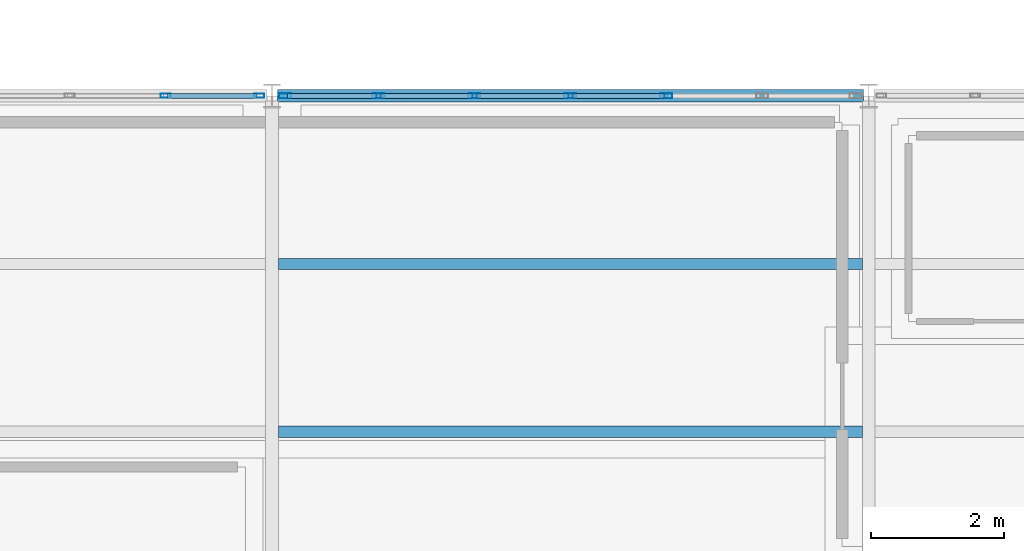
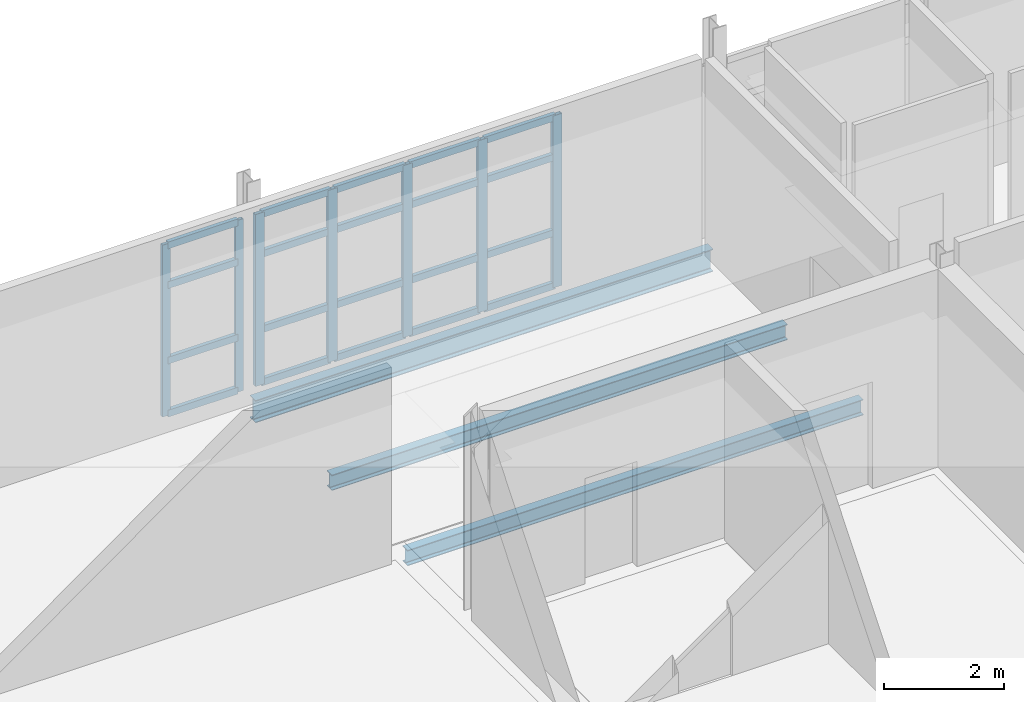
# One storey, part 27 of 96: 27 members, 3 beams, 2 elements without a shape of their own.
"""IFC4 building model written with IfcOpenShell, lengths in metres."""

from ifc_helpers import new_model, si_unit, direction, frame, origin, origin_2d, place, context, subcontext, project, spatial, hollow_rectangle, i_section, extrude, material, material_profile, profile_set, type_object, element, aggregate, save


model = new_model("IFC4")

# Units and contexts
model_context = context("Model", 3, precision=1e-05, world=origin(), true_north=direction((0.0, 1.0)))
body_context = subcontext(model_context, "Body", "Model", "MODEL_VIEW")
ifc_project = project(units=[si_unit("LENGTHUNIT", "METRE"), si_unit("AREAUNIT", "SQUARE_METRE"), si_unit("VOLUMEUNIT", "CUBIC_METRE"), si_unit("PLANEANGLEUNIT", "RADIAN"), si_unit("MASSUNIT", "GRAM", prefix="KILO")], contexts=[model_context])

# Site, building, storey
site_placement = place(None, origin())
site = spatial("IfcSite", under=ifc_project, at=site_placement, CompositionType="ELEMENT")
building_placement = place(site_placement, origin())
building = spatial("IfcBuilding", under=site, at=building_placement, Name="Caisbarro Railhouse Central Library", CompositionType="ELEMENT")
storey_placement = place(building_placement, frame((0.0, 0.0, 13.679931640625)))
storey = spatial("IfcBuildingStorey", under=building, at=storey_placement, Name="L03", CompositionType="ELEMENT", Elevation=13.679931640625)

# Beams
ifc_material_1 = material(Name="Steel ASTM A572 Grade 50", Category="steel")
ifc_material_profile_1 = material_profile(ifc_material_1, i_section(OverallWidth=0.1669921875, OverallDepth=0.31689453125, WebThickness=0.007568359375, FlangeThickness=0.01318359375, FilletRadius=0.011962890625, at=origin_2d()), Name="W310X52.0")
ifc_profile_set_1 = profile_set([ifc_material_profile_1], Name="Steel ASTM A572 Grade 50")
beam_type_1 = type_object("IfcBeamType", Name="BM-J02", PredefinedType="JOIST", material=ifc_profile_set_1)
for number, where, z_axis, x_axis, name in (
    (1, (90.096923828125, 17.7333984375, -0.3984375), (1.0, 0.0, 0.0), (0.0, 1.0, 0.0), "J02 beam L03 #1820"),
    (2, (90.096923828125, 20.2666015625, -0.3984375), (1.0, 0.0, 0.0), (0.0, 1.0, 0.0), "J02 beam L03 #1821"),
):
    element("IfcBeam", number, at=place(storey_placement, frame(where, z_axis=z_axis, x_axis=x_axis)), inside=storey, type_object=beam_type_1, Name=name, PredefinedType="JOIST", context=body_context, shape_type="SweptSolid", body=[
        extrude(i_section(OverallWidth=0.1669921875, OverallDepth=0.31689453125, WebThickness=0.007568359375, FlangeThickness=0.01318359375, FilletRadius=0.011962890625, at=origin_2d()), origin(), (0.0, 0.0, 1.0), 8.80615234375),
    ])
ifc_material_profile_2 = material_profile(ifc_material_1, i_section(OverallWidth=0.18994140625, OverallDepth=0.45703125, WebThickness=0.009033203125, FlangeThickness=0.014404296875, FilletRadius=0.01806640625, at=origin_2d()), Name="W460X74.0")
ifc_profile_set_2 = profile_set([ifc_material_profile_2], Name="Steel ASTM A572 Grade 50")
beam_type_2 = type_object("IfcBeamType", Name="BM-SP01", PredefinedType="SPANDREL", material=ifc_profile_set_2)
beam_placement = place(storey_placement, frame((90.080078125, 22.800048828125, -0.468505859375), z_axis=(1.0, 0.0, 0.0), x_axis=(0.0, 1.0, 0.0)))
element("IfcBeam", 3, at=beam_placement, inside=storey, type_object=beam_type_2, Name="SP01 beam L03 #1777", PredefinedType="SPANDREL", context=body_context, shape_type="SweptSolid", body=[
    extrude(i_section(OverallWidth=0.18994140625, OverallDepth=0.45703125, WebThickness=0.009033203125, FlangeThickness=0.014404296875, FilletRadius=0.01806640625, at=origin_2d()), origin(), (0.0, 0.0, 1.0), 8.83984375),
])

# Curtain wall, members
ifc_material_2 = material(Name="Anodised architectural aluminium", Category="aluminium")
curtain_wall_type = type_object("IfcCurtainWallType", Name="CW-CW02", PredefinedType="NOTDEFINED", material=ifc_material_2)
curtain_wall_1_placement = place(storey_placement, origin())
curtain_wall_1 = element("IfcCurtainWall", 4, at=curtain_wall_1_placement, inside=storey, type_object=curtain_wall_type, Name="CW02 curtain wall L03 #65", PredefinedType="NOTDEFINED")
ifc_material_profile_3 = material_profile(ifc_material_2, hollow_rectangle(XDim=0.074951171875, YDim=0.179931640625, WallThickness=0.00439453125, at=origin_2d()), Name="ALU-MUL-75X180")
ifc_profile_set_3 = profile_set([ifc_material_profile_3], Name="Anodised architectural aluminium")
member_type_1 = type_object("IfcMemberType", Name="CWM-M01", PredefinedType="MULLION", material=ifc_profile_set_3)
member_1_placement = place(storey_placement, frame((90.197509765625, 22.800048828125, 0.0), z_axis=(0.0, 0.0, 1.0), x_axis=(0.0, 1.0, 0.0)))
member_1 = element("IfcMember", 5, at=member_1_placement, type_object=member_type_1, Name="CW02 mullion 1", PredefinedType="MULLION", context=body_context, shape_type="SweptSolid", body=[
    extrude(hollow_rectangle(XDim=0.074951171875, YDim=0.179931640625, WallThickness=0.00439453125, at=origin_2d()), origin(), (0.0, 0.0, 1.0), 3.510009765625),
])
member_2_placement = place(storey_placement, frame((91.606689453125, 22.800048828125, 0.0), z_axis=(0.0, 0.0, 1.0), x_axis=(0.0, 1.0, 0.0)))
member_2 = element("IfcMember", 6, at=member_2_placement, type_object=member_type_1, Name="CW02 mullion 2", PredefinedType="MULLION", context=body_context, shape_type="SweptSolid", body=[
    extrude(hollow_rectangle(XDim=0.074951171875, YDim=0.179931640625, WallThickness=0.00439453125, at=origin_2d()), origin(), (0.0, 0.0, 1.0), 3.510009765625),
])
member_3_placement = place(storey_placement, frame((93.05322265625, 22.800048828125, 0.0), z_axis=(0.0, 0.0, 1.0), x_axis=(0.0, 1.0, 0.0)))
member_3 = element("IfcMember", 7, at=member_3_placement, type_object=member_type_1, Name="CW02 mullion 3", PredefinedType="MULLION", context=body_context, shape_type="SweptSolid", body=[
    extrude(hollow_rectangle(XDim=0.074951171875, YDim=0.179931640625, WallThickness=0.00439453125, at=origin_2d()), origin(), (0.0, 0.0, 1.0), 3.510009765625),
])
member_4_placement = place(storey_placement, frame((94.5, 22.800048828125, 0.0), z_axis=(0.0, 0.0, 1.0), x_axis=(0.0, 1.0, 0.0)))
member_4 = element("IfcMember", 8, at=member_4_placement, type_object=member_type_1, Name="CW02 mullion 4", PredefinedType="MULLION", context=body_context, shape_type="SweptSolid", body=[
    extrude(hollow_rectangle(XDim=0.074951171875, YDim=0.179931640625, WallThickness=0.00439453125, at=origin_2d()), origin(), (0.0, 0.0, 1.0), 3.510009765625),
])
member_5_placement = place(storey_placement, frame((95.94677734375, 22.800048828125, 0.0), z_axis=(0.0, 0.0, 1.0), x_axis=(0.0, 1.0, 0.0)))
member_5 = element("IfcMember", 9, at=member_5_placement, type_object=member_type_1, Name="CW02 mullion 5", PredefinedType="MULLION", context=body_context, shape_type="SweptSolid", body=[
    extrude(hollow_rectangle(XDim=0.074951171875, YDim=0.179931640625, WallThickness=0.00439453125, at=origin_2d()), origin(), (0.0, 0.0, 1.0), 3.510009765625),
])

curtain_wall_2_placement = place(storey_placement, origin())
curtain_wall_2 = element("IfcCurtainWall", 10, at=curtain_wall_2_placement, inside=storey, type_object=curtain_wall_type, Name="CW02 curtain wall L03 #64", PredefinedType="NOTDEFINED")
ifc_material_profile_4 = material_profile(ifc_material_2, hollow_rectangle(XDim=0.06494140625, YDim=0.14990234375, WallThickness=0.00390625, at=origin_2d()), Name="ALU-MUL-65X150")
ifc_profile_set_4 = profile_set([ifc_material_profile_4], Name="Anodised architectural aluminium")
member_type_2 = type_object("IfcMemberType", Name="CWM-M02", PredefinedType="MULLION", material=ifc_profile_set_4)
member_6_placement = place(storey_placement, frame((88.393310546875, 22.800048828125, 0.0), z_axis=(0.0, 0.0, 1.0), x_axis=(0.0, 1.0, 0.0)))
member_6 = element("IfcMember", 11, at=member_6_placement, type_object=member_type_2, Name="CW02 mullion 6", PredefinedType="MULLION", context=body_context, shape_type="SweptSolid", body=[
    extrude(hollow_rectangle(XDim=0.06494140625, YDim=0.14990234375, WallThickness=0.00390625, at=origin_2d()), origin(), (0.0, 0.0, 1.0), 3.510009765625),
])
member_7_placement = place(storey_placement, frame((89.8076171875, 22.800048828125, 0.0), z_axis=(0.0, 0.0, 1.0), x_axis=(0.0, 1.0, 0.0)))
member_7 = element("IfcMember", 12, at=member_7_placement, type_object=member_type_2, Name="CW02 mullion 7", PredefinedType="MULLION", context=body_context, shape_type="SweptSolid", body=[
    extrude(hollow_rectangle(XDim=0.06494140625, YDim=0.14990234375, WallThickness=0.00390625, at=origin_2d()), origin(), (0.0, 0.0, 1.0), 3.510009765625),
])
ifc_material_profile_5 = material_profile(ifc_material_2, hollow_rectangle(XDim=0.074951171875, YDim=0.139892578125, WallThickness=0.00390625, at=origin_2d()), Name="ALU-TRN-75X140")
ifc_profile_set_5 = profile_set([ifc_material_profile_5], Name="Anodised architectural aluminium")
member_type_3 = type_object("IfcMemberType", Name="CWT-T01", PredefinedType="USERDEFINED", material=ifc_profile_set_5)
member_8_placement = place(storey_placement, frame((88.42578125, 22.800048828125, 0.03759765625), z_axis=(1.0, 0.0, 0.0), x_axis=(0.0, 1.0, 0.0)))
member_8 = element("IfcMember", 13, at=member_8_placement, type_object=member_type_3, Name="CW02 transom 6.1", ObjectType="TRANSOM", PredefinedType="USERDEFINED", context=body_context, shape_type="SweptSolid", body=[
    extrude(hollow_rectangle(XDim=0.074951171875, YDim=0.139892578125, WallThickness=0.00390625, at=origin_2d()), origin(), (0.0, 0.0, 1.0), 1.34912109375),
])
member_9_placement = place(storey_placement, frame((88.42578125, 22.800048828125, 1.1201171875), z_axis=(1.0, 0.0, 0.0), x_axis=(0.0, 1.0, 0.0)))
member_9 = element("IfcMember", 14, at=member_9_placement, type_object=member_type_3, Name="CW02 transom 6.2", ObjectType="TRANSOM", PredefinedType="USERDEFINED", context=body_context, shape_type="SweptSolid", body=[
    extrude(hollow_rectangle(XDim=0.074951171875, YDim=0.139892578125, WallThickness=0.00390625, at=origin_2d()), origin(), (0.0, 0.0, 1.0), 1.34912109375),
])
member_10_placement = place(storey_placement, frame((88.42578125, 22.800048828125, 2.66015625), z_axis=(1.0, 0.0, 0.0), x_axis=(0.0, 1.0, 0.0)))
member_10 = element("IfcMember", 15, at=member_10_placement, type_object=member_type_3, Name="CW02 transom 6.3", ObjectType="TRANSOM", PredefinedType="USERDEFINED", context=body_context, shape_type="SweptSolid", body=[
    extrude(hollow_rectangle(XDim=0.074951171875, YDim=0.139892578125, WallThickness=0.00390625, at=origin_2d()), origin(), (0.0, 0.0, 1.0), 1.34912109375),
])
member_11_placement = place(storey_placement, frame((88.42578125, 22.800048828125, 3.47265625), z_axis=(1.0, 0.0, 0.0), x_axis=(0.0, 1.0, 0.0)))
member_11 = element("IfcMember", 16, at=member_11_placement, type_object=member_type_3, Name="CW02 transom 6.4", ObjectType="TRANSOM", PredefinedType="USERDEFINED", context=body_context, shape_type="SweptSolid", body=[
    extrude(hollow_rectangle(XDim=0.074951171875, YDim=0.139892578125, WallThickness=0.00390625, at=origin_2d()), origin(), (0.0, 0.0, 1.0), 1.34912109375),
])
aggregate(curtain_wall_2, [member_6, member_7, member_8, member_9, member_10, member_11])

# Member
member_12_placement = place(storey_placement, frame((90.235107421875, 22.800048828125, 0.03759765625), z_axis=(1.0, 0.0, 0.0), x_axis=(0.0, 1.0, 0.0)))
member_12 = element("IfcMember", 17, at=member_12_placement, type_object=member_type_3, Name="CW02 transom 1.1", ObjectType="TRANSOM", PredefinedType="USERDEFINED", context=body_context, shape_type="SweptSolid", body=[
    extrude(hollow_rectangle(XDim=0.074951171875, YDim=0.139892578125, WallThickness=0.00390625, at=origin_2d()), origin(), (0.0, 0.0, 1.0), 1.333984375),
])

member_13_placement = place(storey_placement, frame((90.235107421875, 22.800048828125, 1.1201171875), z_axis=(1.0, 0.0, 0.0), x_axis=(0.0, 1.0, 0.0)))
member_13 = element("IfcMember", 18, at=member_13_placement, type_object=member_type_3, Name="CW02 transom 1.2", ObjectType="TRANSOM", PredefinedType="USERDEFINED", context=body_context, shape_type="SweptSolid", body=[
    extrude(hollow_rectangle(XDim=0.074951171875, YDim=0.139892578125, WallThickness=0.00390625, at=origin_2d()), origin(), (0.0, 0.0, 1.0), 1.333984375),
])

member_14_placement = place(storey_placement, frame((90.235107421875, 22.800048828125, 2.66015625), z_axis=(1.0, 0.0, 0.0), x_axis=(0.0, 1.0, 0.0)))
member_14 = element("IfcMember", 19, at=member_14_placement, type_object=member_type_3, Name="CW02 transom 1.3", ObjectType="TRANSOM", PredefinedType="USERDEFINED", context=body_context, shape_type="SweptSolid", body=[
    extrude(hollow_rectangle(XDim=0.074951171875, YDim=0.139892578125, WallThickness=0.00390625, at=origin_2d()), origin(), (0.0, 0.0, 1.0), 1.333984375),
])

member_15_placement = place(storey_placement, frame((90.235107421875, 22.800048828125, 3.47265625), z_axis=(1.0, 0.0, 0.0), x_axis=(0.0, 1.0, 0.0)))
member_15 = element("IfcMember", 20, at=member_15_placement, type_object=member_type_3, Name="CW02 transom 1.4", ObjectType="TRANSOM", PredefinedType="USERDEFINED", context=body_context, shape_type="SweptSolid", body=[
    extrude(hollow_rectangle(XDim=0.074951171875, YDim=0.139892578125, WallThickness=0.00390625, at=origin_2d()), origin(), (0.0, 0.0, 1.0), 1.333984375),
])

member_16_placement = place(storey_placement, frame((91.644287109375, 22.800048828125, 0.03759765625), z_axis=(1.0, 0.0, 0.0), x_axis=(0.0, 1.0, 0.0)))
member_16 = element("IfcMember", 21, at=member_16_placement, type_object=member_type_3, Name="CW02 transom 2.1", ObjectType="TRANSOM", PredefinedType="USERDEFINED", context=body_context, shape_type="SweptSolid", body=[
    extrude(hollow_rectangle(XDim=0.074951171875, YDim=0.139892578125, WallThickness=0.00390625, at=origin_2d()), origin(), (0.0, 0.0, 1.0), 1.37158203125),
])

member_17_placement = place(storey_placement, frame((91.644287109375, 22.800048828125, 1.1201171875), z_axis=(1.0, 0.0, 0.0), x_axis=(0.0, 1.0, 0.0)))
member_17 = element("IfcMember", 22, at=member_17_placement, type_object=member_type_3, Name="CW02 transom 2.2", ObjectType="TRANSOM", PredefinedType="USERDEFINED", context=body_context, shape_type="SweptSolid", body=[
    extrude(hollow_rectangle(XDim=0.074951171875, YDim=0.139892578125, WallThickness=0.00390625, at=origin_2d()), origin(), (0.0, 0.0, 1.0), 1.37158203125),
])

member_18_placement = place(storey_placement, frame((91.644287109375, 22.800048828125, 2.66015625), z_axis=(1.0, 0.0, 0.0), x_axis=(0.0, 1.0, 0.0)))
member_18 = element("IfcMember", 23, at=member_18_placement, type_object=member_type_3, Name="CW02 transom 2.3", ObjectType="TRANSOM", PredefinedType="USERDEFINED", context=body_context, shape_type="SweptSolid", body=[
    extrude(hollow_rectangle(XDim=0.074951171875, YDim=0.139892578125, WallThickness=0.00390625, at=origin_2d()), origin(), (0.0, 0.0, 1.0), 1.37158203125),
])

member_19_placement = place(storey_placement, frame((91.644287109375, 22.800048828125, 3.47265625), z_axis=(1.0, 0.0, 0.0), x_axis=(0.0, 1.0, 0.0)))
member_19 = element("IfcMember", 24, at=member_19_placement, type_object=member_type_3, Name="CW02 transom 2.4", ObjectType="TRANSOM", PredefinedType="USERDEFINED", context=body_context, shape_type="SweptSolid", body=[
    extrude(hollow_rectangle(XDim=0.074951171875, YDim=0.139892578125, WallThickness=0.00390625, at=origin_2d()), origin(), (0.0, 0.0, 1.0), 1.37158203125),
])

member_20_placement = place(storey_placement, frame((93.0908203125, 22.800048828125, 0.03759765625), z_axis=(1.0, 0.0, 0.0), x_axis=(0.0, 1.0, 0.0)))
member_20 = element("IfcMember", 25, at=member_20_placement, type_object=member_type_3, Name="CW02 transom 3.1", ObjectType="TRANSOM", PredefinedType="USERDEFINED", context=body_context, shape_type="SweptSolid", body=[
    extrude(hollow_rectangle(XDim=0.074951171875, YDim=0.139892578125, WallThickness=0.00390625, at=origin_2d()), origin(), (0.0, 0.0, 1.0), 1.37158203125),
])

member_21_placement = place(storey_placement, frame((93.0908203125, 22.800048828125, 1.1201171875), z_axis=(1.0, 0.0, 0.0), x_axis=(0.0, 1.0, 0.0)))
member_21 = element("IfcMember", 26, at=member_21_placement, type_object=member_type_3, Name="CW02 transom 3.2", ObjectType="TRANSOM", PredefinedType="USERDEFINED", context=body_context, shape_type="SweptSolid", body=[
    extrude(hollow_rectangle(XDim=0.074951171875, YDim=0.139892578125, WallThickness=0.00390625, at=origin_2d()), origin(), (0.0, 0.0, 1.0), 1.37158203125),
])

member_22_placement = place(storey_placement, frame((93.0908203125, 22.800048828125, 2.66015625), z_axis=(1.0, 0.0, 0.0), x_axis=(0.0, 1.0, 0.0)))
member_22 = element("IfcMember", 27, at=member_22_placement, type_object=member_type_3, Name="CW02 transom 3.3", ObjectType="TRANSOM", PredefinedType="USERDEFINED", context=body_context, shape_type="SweptSolid", body=[
    extrude(hollow_rectangle(XDim=0.074951171875, YDim=0.139892578125, WallThickness=0.00390625, at=origin_2d()), origin(), (0.0, 0.0, 1.0), 1.37158203125),
])

member_23_placement = place(storey_placement, frame((93.0908203125, 22.800048828125, 3.47265625), z_axis=(1.0, 0.0, 0.0), x_axis=(0.0, 1.0, 0.0)))
member_23 = element("IfcMember", 28, at=member_23_placement, type_object=member_type_3, Name="CW02 transom 3.4", ObjectType="TRANSOM", PredefinedType="USERDEFINED", context=body_context, shape_type="SweptSolid", body=[
    extrude(hollow_rectangle(XDim=0.074951171875, YDim=0.139892578125, WallThickness=0.00390625, at=origin_2d()), origin(), (0.0, 0.0, 1.0), 1.37158203125),
])

member_24_placement = place(storey_placement, frame((94.53759765625, 22.800048828125, 0.03759765625), z_axis=(1.0, 0.0, 0.0), x_axis=(0.0, 1.0, 0.0)))
member_24 = element("IfcMember", 29, at=member_24_placement, type_object=member_type_3, Name="CW02 transom 4.1", ObjectType="TRANSOM", PredefinedType="USERDEFINED", context=body_context, shape_type="SweptSolid", body=[
    extrude(hollow_rectangle(XDim=0.074951171875, YDim=0.139892578125, WallThickness=0.00390625, at=origin_2d()), origin(), (0.0, 0.0, 1.0), 1.37158203125),
])

member_25_placement = place(storey_placement, frame((94.53759765625, 22.800048828125, 1.1201171875), z_axis=(1.0, 0.0, 0.0), x_axis=(0.0, 1.0, 0.0)))
member_25 = element("IfcMember", 30, at=member_25_placement, type_object=member_type_3, Name="CW02 transom 4.2", ObjectType="TRANSOM", PredefinedType="USERDEFINED", context=body_context, shape_type="SweptSolid", body=[
    extrude(hollow_rectangle(XDim=0.074951171875, YDim=0.139892578125, WallThickness=0.00390625, at=origin_2d()), origin(), (0.0, 0.0, 1.0), 1.37158203125),
])

member_26_placement = place(storey_placement, frame((94.53759765625, 22.800048828125, 2.66015625), z_axis=(1.0, 0.0, 0.0), x_axis=(0.0, 1.0, 0.0)))
member_26 = element("IfcMember", 31, at=member_26_placement, type_object=member_type_3, Name="CW02 transom 4.3", ObjectType="TRANSOM", PredefinedType="USERDEFINED", context=body_context, shape_type="SweptSolid", body=[
    extrude(hollow_rectangle(XDim=0.074951171875, YDim=0.139892578125, WallThickness=0.00390625, at=origin_2d()), origin(), (0.0, 0.0, 1.0), 1.37158203125),
])

member_27_placement = place(storey_placement, frame((94.53759765625, 22.800048828125, 3.47265625), z_axis=(1.0, 0.0, 0.0), x_axis=(0.0, 1.0, 0.0)))
member_27 = element("IfcMember", 32, at=member_27_placement, type_object=member_type_3, Name="CW02 transom 4.4", ObjectType="TRANSOM", PredefinedType="USERDEFINED", context=body_context, shape_type="SweptSolid", body=[
    extrude(hollow_rectangle(XDim=0.074951171875, YDim=0.139892578125, WallThickness=0.00390625, at=origin_2d()), origin(), (0.0, 0.0, 1.0), 1.37158203125),
])

aggregate(curtain_wall_1, [member_1, member_2, member_3, member_4, member_5, member_12, member_13, member_14, member_15, member_16, member_17, member_18, member_19, member_20, member_21, member_22, member_23, member_24, member_25, member_26, member_27])

save(model, "model.ifc")
